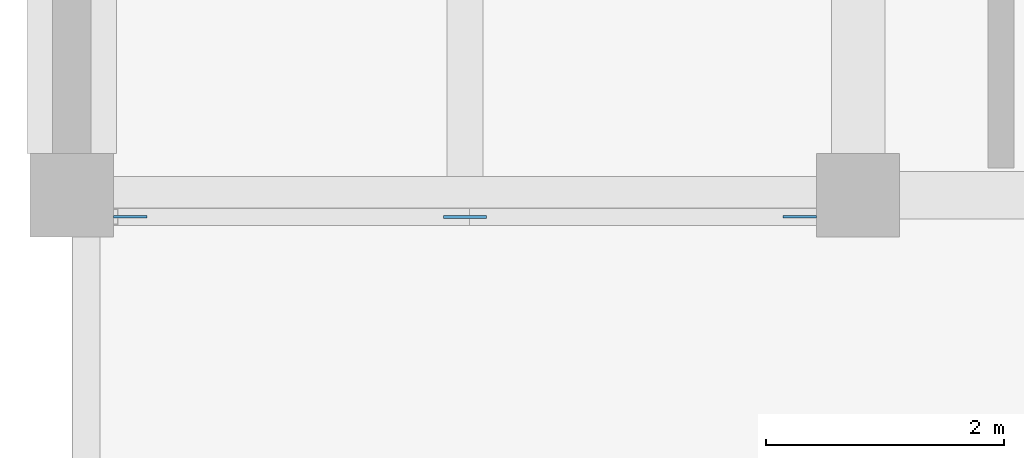
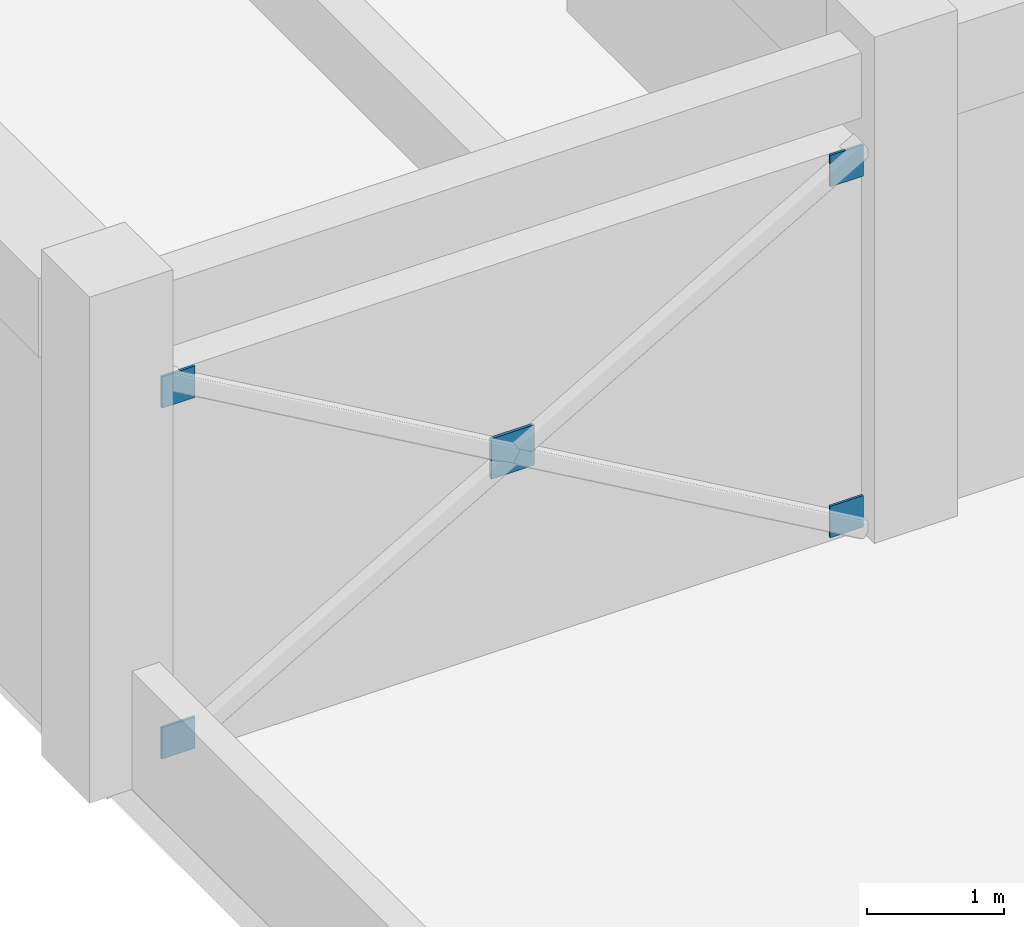
# One storey, part 9 of 18: 5 plates.
"""IFC4 building model written with IfcOpenShell, lengths in metres."""

from ifc_helpers import new_model, si_unit, direction, frame, origin, origin_2d, place, context, subcontext, project, spatial, rectangle, extrude, material, layer, layer_set, type_object, element, save


model = new_model("IFC4")

# Units and contexts
model_context = context("Model", 3, precision=1e-05, world=origin(), true_north=direction((0.0, 1.0)))
body_context = subcontext(model_context, "Body", "Model", "MODEL_VIEW")
ifc_project = project(units=[si_unit("LENGTHUNIT", "METRE"), si_unit("AREAUNIT", "SQUARE_METRE"), si_unit("VOLUMEUNIT", "CUBIC_METRE"), si_unit("PLANEANGLEUNIT", "RADIAN"), si_unit("MASSUNIT", "GRAM", prefix="KILO")], contexts=[model_context])

# Site, building, storey
site_placement = place(None, origin())
site = spatial("IfcSite", under=ifc_project, at=site_placement, CompositionType="ELEMENT")
building_placement = place(site_placement, origin())
building = spatial("IfcBuilding", under=site, at=building_placement, Name="Miralva Faculty of Natural Sciences", CompositionType="ELEMENT")
storey_placement = place(building_placement, frame((0.0, 0.0, 28.5)))
storey = spatial("IfcBuildingStorey", under=building, at=storey_placement, Name="L06", CompositionType="ELEMENT", Elevation=28.5)

# Plates
ifc_material = material(Name="Steel S355", Category="steel")
ifc_layer = layer(ifc_material, 0.02490234375, Name="PLT-BP02")
ifc_layer_set = layer_set([ifc_layer], Name="Steel S355")
plate_type = type_object("IfcPlateType", Name="PLT-BP02", PredefinedType="SHEET", material=ifc_layer_set)
plate_placement = place(storey_placement, frame((6.300048828125, 45.419921875, 1.56982421875), z_axis=(0.0, 0.0, 1.0), x_axis=(1.0, 0.0, 0.0)))
element("IfcPlate", 1, at=plate_placement, inside=storey, type_object=plate_type, Name="Plant X-brace central crossing gusset plate 1", PredefinedType="SHEET", context=body_context, shape_type="SweptSolid", body=[
    extrude(rectangle(XDim=0.360107421875, YDim=0.02490234375, at=origin_2d()), origin(), (0.0, 0.0, 1.0), 0.360107421875),
])
for number, where, z_axis, x_axis, name in (
    (2, (3.489990234375, 45.419921875, 0.0498046875), (0.0, 0.0, 1.0), (1.0, 0.0, 0.0), "Plant brace end gusset plate 1-BL"),
    (3, (9.110107421875, 45.419921875, 0.0498046875), (0.0, 0.0, 1.0), (1.0, 0.0, 0.0), "Plant brace end gusset plate 1-BR"),
    (4, (3.489990234375, 45.419921875, 3.169921875), (0.0, 0.0, 1.0), (1.0, 0.0, 0.0), "Plant brace end gusset plate 1-TL"),
    (5, (9.110107421875, 45.419921875, 3.169921875), (0.0, 0.0, 1.0), (1.0, 0.0, 0.0), "Plant brace end gusset plate 1-TR"),
):
    element("IfcPlate", number, at=place(storey_placement, frame(where, z_axis=z_axis, x_axis=x_axis)), inside=storey, type_object=plate_type, Name=name, PredefinedType="SHEET", context=body_context, shape_type="SweptSolid", body=[
        extrude(rectangle(XDim=0.280029296875, YDim=0.02001953125, at=origin_2d()), origin(), (0.0, 0.0, 1.0), 0.280029296875),
    ])

save(model, "model.ifc")
